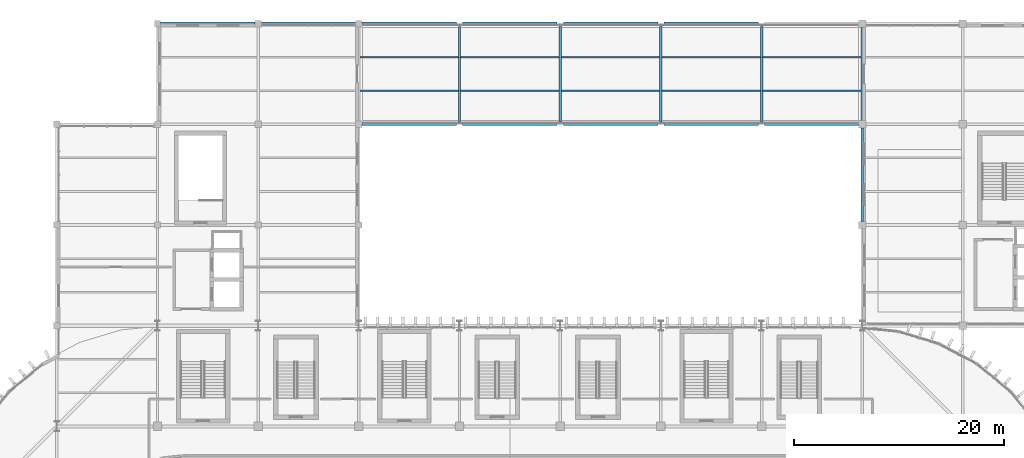
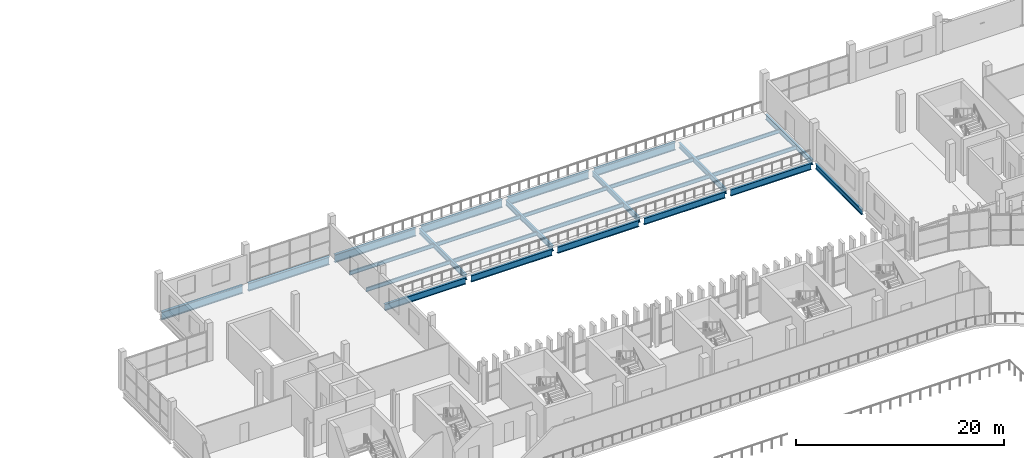
# One storey, part 32 of 75: 27 beams.
"""IFC4 building model written with IfcOpenShell, lengths in metres."""

from ifc_helpers import new_model, si_unit, direction, frame, origin, origin_2d, place, context, subcontext, project, spatial, i_section, extrude, material, material_profile, profile_set, type_object, element, save


model = new_model("IFC4")

# Units and contexts
model_context = context("Model", 3, precision=1e-05, world=origin(), true_north=direction((0.0, 1.0)))
body_context = subcontext(model_context, "Body", "Model", "MODEL_VIEW")
ifc_project = project(units=[si_unit("LENGTHUNIT", "METRE"), si_unit("AREAUNIT", "SQUARE_METRE"), si_unit("VOLUMEUNIT", "CUBIC_METRE"), si_unit("PLANEANGLEUNIT", "RADIAN"), si_unit("MASSUNIT", "GRAM", prefix="KILO")], contexts=[model_context])

# Site, building, storey
site_placement = place(None, origin())
site = spatial("IfcSite", under=ifc_project, at=site_placement, CompositionType="ELEMENT")
building_placement = place(site_placement, origin())
building = spatial("IfcBuilding", under=site, at=building_placement, Name="Caelomonte Colonnade Arena", CompositionType="ELEMENT")
storey_placement = place(building_placement, frame((0.0, 0.0, 14.10009765625)))
storey = spatial("IfcBuildingStorey", under=building, at=storey_placement, Name="L03", CompositionType="ELEMENT", Elevation=14.10009765625)

# Beams
ifc_material = material(Name="Wide-flange steel ASTM A992 Grade 50", Category="steel")
ifc_material_profile_1 = material_profile(ifc_material, i_section(OverallWidth=0.307861328125, OverallDepth=0.927001953125, WebThickness=0.019287109375, FlangeThickness=0.031982421875, FilletRadius=0.020263671875, at=origin_2d()), Name="W36X194")
ifc_profile_set_1 = profile_set([ifc_material_profile_1], Name="Wide-flange steel ASTM A992 Grade 50")
beam_type_1 = type_object("IfcBeamType", Name="STR-BM-EAVES2", PredefinedType="SPANDREL", material=ifc_profile_set_1)
beam_1_placement = place(storey_placement, frame((77.092041015625, 144.0, -0.74365234375), z_axis=(1.0, 0.0, 0.0), x_axis=(0.0, 1.0, 0.0)))
element("IfcBeam", 1, at=beam_1_placement, inside=storey, type_object=beam_type_1, Name="L03 girder BMX-L03-0768-1440", PredefinedType="SPANDREL", context=body_context, shape_type="SweptSolid", body=[
    extrude(i_section(OverallWidth=0.307861328125, OverallDepth=0.927001953125, WebThickness=0.019287109375, FlangeThickness=0.031982421875, FilletRadius=0.020263671875, at=origin_2d()), origin(), (0.0, 0.0, 1.0), 9.015869140625),
])
for number, where, z_axis, x_axis, name in (
    (2, (86.69189453125, 144.0, -0.74365234375), (1.0, 0.0, 0.0), (0.0, 1.0, 0.0), "L03 girder BMX-L03-0864-1440"),
    (3, (96.2919921875, 144.0, -0.74365234375), (1.0, 0.0, 0.0), (0.0, 1.0, 0.0), "L03 girder BMX-L03-0960-1440"),
):
    element("IfcBeam", number, at=place(storey_placement, frame(where, z_axis=z_axis, x_axis=x_axis)), inside=storey, type_object=beam_type_1, Name=name, PredefinedType="SPANDREL", context=body_context, shape_type="SweptSolid", body=[
        extrude(i_section(OverallWidth=0.307861328125, OverallDepth=0.927001953125, WebThickness=0.019287109375, FlangeThickness=0.031982421875, FilletRadius=0.020263671875, at=origin_2d()), origin(), (0.0, 0.0, 1.0), 9.01611328125),
    ])
beam_2_placement = place(storey_placement, frame((105.89208984375, 144.0, -0.74365234375), z_axis=(1.0, 0.0, 0.0), x_axis=(0.0, 1.0, 0.0)))
element("IfcBeam", 4, at=beam_2_placement, inside=storey, type_object=beam_type_1, Name="L03 girder BMX-L03-1056-1440", PredefinedType="SPANDREL", context=body_context, shape_type="SweptSolid", body=[
    extrude(i_section(OverallWidth=0.307861328125, OverallDepth=0.927001953125, WebThickness=0.019287109375, FlangeThickness=0.031982421875, FilletRadius=0.020263671875, at=origin_2d()), origin(), (0.0, 0.0, 1.0), 9.015869140625),
])
beam_3_placement = place(storey_placement, frame((115.491943359375, 144.0, -0.74365234375), z_axis=(1.0, 0.0, 0.0), x_axis=(0.0, 1.0, 0.0)))
element("IfcBeam", 5, at=beam_3_placement, inside=storey, type_object=beam_type_1, Name="L03 girder BMX-L03-1152-1440", PredefinedType="SPANDREL", context=body_context, shape_type="SweptSolid", body=[
    extrude(i_section(OverallWidth=0.307861328125, OverallDepth=0.927001953125, WebThickness=0.019287109375, FlangeThickness=0.031982421875, FilletRadius=0.020263671875, at=origin_2d()), origin(), (0.0, 0.0, 1.0), 9.01611328125),
])
beam_4_placement = place(storey_placement, frame((125.092041015625, 144.0, -0.74365234375), z_axis=(1.0, 0.0, 0.0), x_axis=(0.0, 1.0, 0.0)))
element("IfcBeam", 6, at=beam_4_placement, inside=storey, type_object=beam_type_1, Name="L03 girder BMX-L03-1248-1440", PredefinedType="SPANDREL", context=body_context, shape_type="SweptSolid", body=[
    extrude(i_section(OverallWidth=0.307861328125, OverallDepth=0.927001953125, WebThickness=0.019287109375, FlangeThickness=0.031982421875, FilletRadius=0.020263671875, at=origin_2d()), origin(), (0.0, 0.0, 1.0), 9.015869140625),
])
ifc_material_profile_2 = material_profile(ifc_material, i_section(OverallWidth=0.228271484375, OverallDepth=0.607177734375, WebThickness=0.01123046875, FlangeThickness=0.017333984375, FilletRadius=0.0126953125, at=origin_2d()), Name="W24X76")
ifc_profile_set_2 = profile_set([ifc_material_profile_2], Name="Wide-flange steel ASTM A992 Grade 50")
beam_type_2 = type_object("IfcBeamType", Name="STR-BM-GIRD24", PredefinedType="BEAM", material=ifc_profile_set_2)
for number, where, z_axis, x_axis, name in (
    (7, (105.60009765625, 134.69189453125, -0.58349609375), (0.0, 1.0, 0.0), (-1.0, 0.0, 0.0), "L03 girder BMY-L03-1056-1344"),
    (8, (115.199951171875, 134.69189453125, -0.58349609375), (0.0, 1.0, 0.0), (-1.0, 0.0, 0.0), "L03 girder BMY-L03-1152-1344"),
    (9, (124.800048828125, 134.69189453125, -0.58349609375), (0.0, 1.0, 0.0), (-1.0, 0.0, 0.0), "L03 girder BMY-L03-1248-1344"),
    (10, (134.39990234375, 134.69189453125, -0.58349609375), (0.0, 1.0, 0.0), (-1.0, 0.0, 0.0), "L03 girder BMY-L03-1344-1344"),
):
    element("IfcBeam", number, at=place(storey_placement, frame(where, z_axis=z_axis, x_axis=x_axis)), inside=storey, type_object=beam_type_2, Name=name, PredefinedType="BEAM", context=body_context, shape_type="SweptSolid", body=[
        extrude(i_section(OverallWidth=0.228271484375, OverallDepth=0.607177734375, WebThickness=0.01123046875, FlangeThickness=0.017333984375, FilletRadius=0.0126953125, at=origin_2d()), origin(), (0.0, 0.0, 1.0), 9.01611328125),
    ])
for number, where, z_axis, x_axis, name in (
    (11, (144.0, 125.14208984375, -0.58349609375), (0.0, 1.0, 0.0), (-1.0, 0.0, 0.0), "L03 girder BMY-L03-1440-1248"),
    (12, (144.0, 134.741943359375, -0.58349609375), (0.0, 1.0, 0.0), (-1.0, 0.0, 0.0), "L03 girder BMY-L03-1440-1344"),
):
    element("IfcBeam", number, at=place(storey_placement, frame(where, z_axis=z_axis, x_axis=x_axis)), inside=storey, type_object=beam_type_2, Name=name, PredefinedType="BEAM", context=body_context, shape_type="SweptSolid", body=[
        extrude(i_section(OverallWidth=0.228271484375, OverallDepth=0.607177734375, WebThickness=0.01123046875, FlangeThickness=0.017333984375, FilletRadius=0.0126953125, at=origin_2d()), origin(), (0.0, 0.0, 1.0), 8.916015625),
    ])
ifc_material_profile_3 = material_profile(ifc_material, i_section(OverallWidth=0.265380859375, OverallDepth=0.75439453125, WebThickness=0.01318359375, FlangeThickness=0.01708984375, FilletRadius=0.0166015625, at=origin_2d()), Name="W30X99")
ifc_profile_set_3 = profile_set([ifc_material_profile_3], Name="Wide-flange steel ASTM A992 Grade 50")
beam_type_3 = type_object("IfcBeamType", Name="STR-BM-GIRD30B", PredefinedType="BEAM", material=ifc_profile_set_3)
beam_5_placement = place(storey_placement, frame((96.2919921875, 134.39990234375, -0.6572265625), z_axis=(1.0, 0.0, 0.0), x_axis=(0.0, 1.0, 0.0)))
element("IfcBeam", 13, at=beam_5_placement, inside=storey, type_object=beam_type_3, Name="L03 girder BMX-L03-0960-1344", PredefinedType="BEAM", context=body_context, shape_type="SweptSolid", body=[
    extrude(i_section(OverallWidth=0.265380859375, OverallDepth=0.75439453125, WebThickness=0.01318359375, FlangeThickness=0.01708984375, FilletRadius=0.0166015625, at=origin_2d()), origin(), (0.0, 0.0, 1.0), 9.01611328125),
])
beam_6_placement = place(storey_placement, frame((105.89208984375, 134.39990234375, -0.6572265625), z_axis=(1.0, 0.0, 0.0), x_axis=(0.0, 1.0, 0.0)))
element("IfcBeam", 14, at=beam_6_placement, inside=storey, type_object=beam_type_3, Name="L03 girder BMX-L03-1056-1344", PredefinedType="BEAM", context=body_context, shape_type="SweptSolid", body=[
    extrude(i_section(OverallWidth=0.265380859375, OverallDepth=0.75439453125, WebThickness=0.01318359375, FlangeThickness=0.01708984375, FilletRadius=0.0166015625, at=origin_2d()), origin(), (0.0, 0.0, 1.0), 9.015869140625),
])
beam_7_placement = place(storey_placement, frame((115.491943359375, 134.39990234375, -0.6572265625), z_axis=(1.0, 0.0, 0.0), x_axis=(0.0, 1.0, 0.0)))
element("IfcBeam", 15, at=beam_7_placement, inside=storey, type_object=beam_type_3, Name="L03 girder BMX-L03-1152-1344", PredefinedType="BEAM", context=body_context, shape_type="SweptSolid", body=[
    extrude(i_section(OverallWidth=0.265380859375, OverallDepth=0.75439453125, WebThickness=0.01318359375, FlangeThickness=0.01708984375, FilletRadius=0.0166015625, at=origin_2d()), origin(), (0.0, 0.0, 1.0), 9.01611328125),
])
beam_8_placement = place(storey_placement, frame((125.092041015625, 134.39990234375, -0.6572265625), z_axis=(1.0, 0.0, 0.0), x_axis=(0.0, 1.0, 0.0)))
element("IfcBeam", 16, at=beam_8_placement, inside=storey, type_object=beam_type_3, Name="L03 girder BMX-L03-1248-1344", PredefinedType="BEAM", context=body_context, shape_type="SweptSolid", body=[
    extrude(i_section(OverallWidth=0.265380859375, OverallDepth=0.75439453125, WebThickness=0.01318359375, FlangeThickness=0.01708984375, FilletRadius=0.0166015625, at=origin_2d()), origin(), (0.0, 0.0, 1.0), 9.015869140625),
])
beam_9_placement = place(storey_placement, frame((134.69189453125, 134.39990234375, -0.6572265625), z_axis=(1.0, 0.0, 0.0), x_axis=(0.0, 1.0, 0.0)))
element("IfcBeam", 17, at=beam_9_placement, inside=storey, type_object=beam_type_3, Name="L03 girder BMX-L03-1344-1344", PredefinedType="BEAM", context=body_context, shape_type="SweptSolid", body=[
    extrude(i_section(OverallWidth=0.265380859375, OverallDepth=0.75439453125, WebThickness=0.01318359375, FlangeThickness=0.01708984375, FilletRadius=0.0166015625, at=origin_2d()), origin(), (0.0, 0.0, 1.0), 8.966064453125),
])
ifc_material_profile_4 = material_profile(ifc_material, i_section(OverallWidth=0.15283203125, OverallDepth=0.45458984375, WebThickness=0.008056640625, FlangeThickness=0.01318359375, FilletRadius=0.01025390625, at=origin_2d()), Name="W18X40")
ifc_profile_set_4 = profile_set([ifc_material_profile_4], Name="Wide-flange steel ASTM A992 Grade 50")
beam_type_4 = type_object("IfcBeamType", Name="STR-BM-JOIST18B", PredefinedType="JOIST", material=ifc_profile_set_4)
for number, where, z_axis, x_axis, name in (
    (18, (96.109130859375, 137.60009765625, -0.50732421875), (1.0, 0.0, 0.0), (0.0, 1.0, 0.0), "L03 secondary joist 1"),
    (19, (96.109130859375, 140.800048828125, -0.50732421875), (1.0, 0.0, 0.0), (0.0, 1.0, 0.0), "L03 secondary joist 2"),
):
    element("IfcBeam", number, at=place(storey_placement, frame(where, z_axis=z_axis, x_axis=x_axis)), inside=storey, type_object=beam_type_4, Name=name, PredefinedType="JOIST", context=body_context, shape_type="SweptSolid", body=[
        extrude(i_section(OverallWidth=0.15283203125, OverallDepth=0.45458984375, WebThickness=0.008056640625, FlangeThickness=0.01318359375, FilletRadius=0.01025390625, at=origin_2d()), origin(), (0.0, 0.0, 1.0), 9.381591796875),
    ])
for number, where, z_axis, x_axis, name in (
    (20, (105.708984375, 137.60009765625, -0.50732421875), (1.0, 0.0, 0.0), (0.0, 1.0, 0.0), "L03 secondary joist 1"),
    (21, (105.708984375, 140.800048828125, -0.50732421875), (1.0, 0.0, 0.0), (0.0, 1.0, 0.0), "L03 secondary joist 2"),
    (22, (115.30908203125, 137.60009765625, -0.50732421875), (1.0, 0.0, 0.0), (0.0, 1.0, 0.0), "L03 secondary joist 1"),
    (23, (115.30908203125, 140.800048828125, -0.50732421875), (1.0, 0.0, 0.0), (0.0, 1.0, 0.0), "L03 secondary joist 2"),
    (24, (124.9091796875, 137.60009765625, -0.50732421875), (1.0, 0.0, 0.0), (0.0, 1.0, 0.0), "L03 secondary joist 1"),
    (25, (124.9091796875, 140.800048828125, -0.50732421875), (1.0, 0.0, 0.0), (0.0, 1.0, 0.0), "L03 secondary joist 2"),
):
    element("IfcBeam", number, at=place(storey_placement, frame(where, z_axis=z_axis, x_axis=x_axis)), inside=storey, type_object=beam_type_4, Name=name, PredefinedType="JOIST", context=body_context, shape_type="SweptSolid", body=[
        extrude(i_section(OverallWidth=0.15283203125, OverallDepth=0.45458984375, WebThickness=0.008056640625, FlangeThickness=0.01318359375, FilletRadius=0.01025390625, at=origin_2d()), origin(), (0.0, 0.0, 1.0), 9.3818359375),
    ])
for number, where, z_axis, x_axis, name in (
    (26, (134.50927734375, 137.60009765625, -0.50732421875), (1.0, 0.0, 0.0), (0.0, 1.0, 0.0), "L03 secondary joist 1"),
    (27, (134.50927734375, 140.800048828125, -0.50732421875), (1.0, 0.0, 0.0), (0.0, 1.0, 0.0), "L03 secondary joist 2"),
):
    element("IfcBeam", number, at=place(storey_placement, frame(where, z_axis=z_axis, x_axis=x_axis)), inside=storey, type_object=beam_type_4, Name=name, PredefinedType="JOIST", context=body_context, shape_type="SweptSolid", body=[
        extrude(i_section(OverallWidth=0.15283203125, OverallDepth=0.45458984375, WebThickness=0.008056640625, FlangeThickness=0.01318359375, FilletRadius=0.01025390625, at=origin_2d()), origin(), (0.0, 0.0, 1.0), 9.381591796875),
    ])

save(model, "model.ifc")
